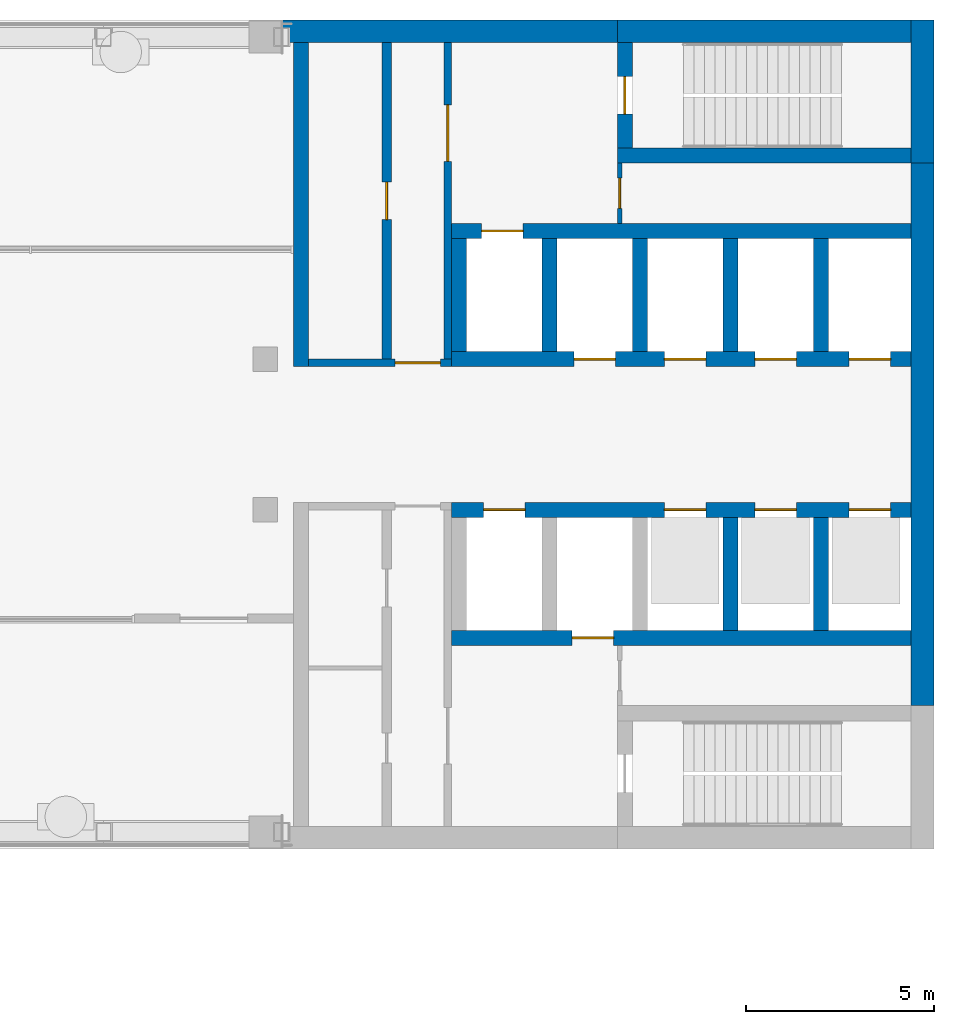
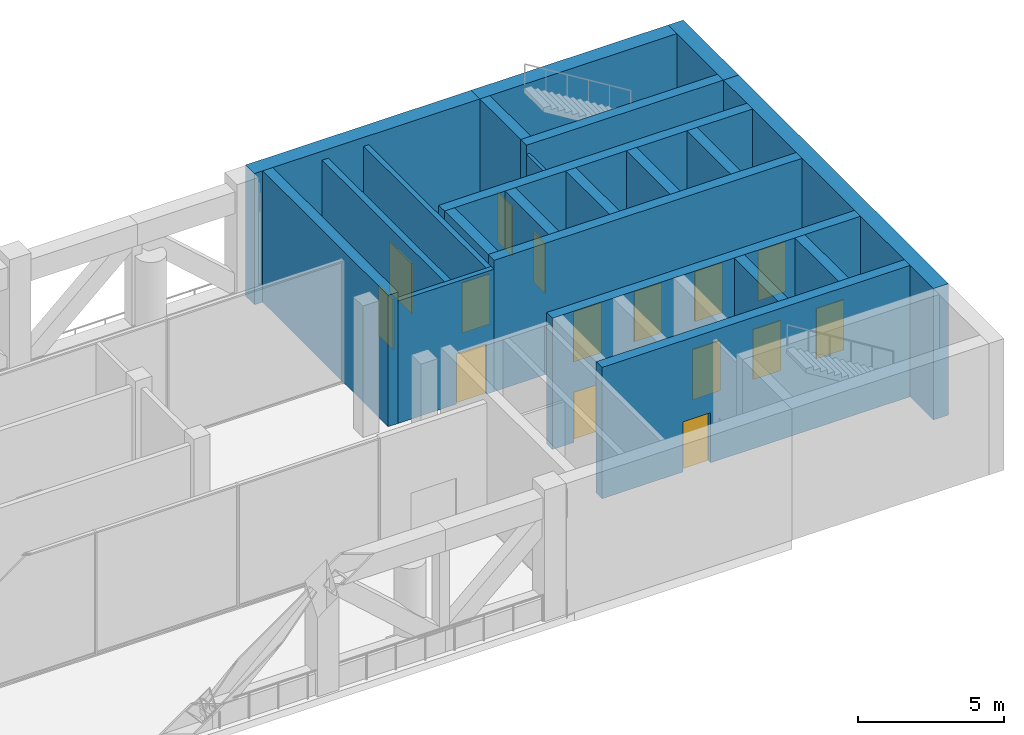
# One storey, part 14 of 19: 22 walls, 15 doors, 15 openings.
"""IFC4 building model written with IfcOpenShell, lengths in metres."""

import ifcopenshell
import ifcopenshell.guid

model = None  # the IFC model being written
_history = None  # IfcOwnerHistory: only IFC2X3 demands one
_inside = {}  # id of a spatial element -> (the spatial element, [elements in it])
_under = {}  # id of a project, library or spatial element -> (it, [spatial elements below it])
_declared = {}  # id of a project -> (the project, [libraries it declares])
_typed = {}  # id of a type object -> (the type object, [elements of that type])
_made_of = {}  # id of a material, layer set ... -> (it, [elements and type objects made of it])


def new_model(schema):
    """Start an empty IFC model of exactly this schema.

    Asked for "IFC4X3", IfcOpenShell would pick the latest addendum, in which some entities
    have other attributes; the version numbers below select the first issue.
    IFC2X3 requires an IfcOwnerHistory on every rooted entity: one is made here for all.
    """
    global model, _history
    if schema == "IFC4X3":
        model = ifcopenshell.file(schema_version=(4, 3, 0, 0))
    else:
        model = ifcopenshell.file(schema=schema)
    _inside.clear()
    _under.clear()
    _declared.clear()
    _typed.clear()
    _made_of.clear()
    _history = None
    if model.schema == "IFC2X3":
        org = make("IfcOrganization", Name="unknown")
        user = make(
            "IfcPersonAndOrganization",
            ThePerson=make("IfcPerson", FamilyName="unknown"),
            TheOrganization=org,
        )
        app = make(
            "IfcApplication",
            ApplicationDeveloper=org,
            Version="unknown",
            ApplicationFullName="unknown",
            ApplicationIdentifier="unknown",
        )
        _history = make(
            "IfcOwnerHistory",
            OwningUser=user,
            OwningApplication=app,
            ChangeAction="ADDED",
            CreationDate=0,
        )
    return model


def make(cls, **values):
    """One entity of the class cls with the attributes given. An attribute that is None is left unset."""
    return model.create_entity(
        cls, **{name: value for name, value in values.items() if value is not None}
    )


def rooted(cls, **values):
    """An entity with a GlobalId (a new one), such as an element, a storey or a relation."""
    return make(cls, GlobalId=ifcopenshell.guid.new(), OwnerHistory=_history, **values)


def si_unit(unit_type, name, prefix=None):
    """IfcSIUnit, for example si_unit("LENGTHUNIT", "METRE", prefix="MILLI")."""
    return make("IfcSIUnit", UnitType=unit_type, Prefix=prefix, Name=name)


def assignment(units):
    """IfcUnitAssignment: the units of a project."""
    return None if units is None else make("IfcUnitAssignment", Units=units)


def point(xyz):
    """IfcCartesianPoint."""
    return None if xyz is None else make("IfcCartesianPoint", Coordinates=xyz)


def direction(xyz):
    """IfcDirection."""
    return None if xyz is None else make("IfcDirection", DirectionRatios=xyz)


def frame(location, z_axis=None, x_axis=None):
    """IfcAxis2Placement3D, a coordinate frame: its origin and axes. An axis left out is left unset."""
    return make(
        "IfcAxis2Placement3D",
        Location=point(location),
        Axis=direction(z_axis),
        RefDirection=direction(x_axis),
    )


def frame_2d(location, x_axis=None):
    """IfcAxis2Placement2D, a coordinate frame in the plane: its origin and x axis."""
    return make(
        "IfcAxis2Placement2D", Location=point(location), RefDirection=direction(x_axis)
    )


def origin():
    """The frame at (0, 0, 0) with its axes left unset."""
    return frame((0.0, 0.0, 0.0))


def place(relative_to, where):
    """IfcLocalPlacement: puts the frame where relative to a parent placement (None: the world)."""
    return make(
        "IfcLocalPlacement", PlacementRelTo=relative_to, RelativePlacement=where
    )


def context(
    kind, dimensions, precision=None, world=None, true_north=None, identifier=None
):
    """IfcGeometricRepresentationContext, for example the 3D "Model" context."""
    return make(
        "IfcGeometricRepresentationContext",
        ContextIdentifier=identifier,
        ContextType=kind,
        CoordinateSpaceDimension=dimensions,
        Precision=precision,
        WorldCoordinateSystem=world,
        TrueNorth=true_north,
    )


def subcontext(parent, identifier, kind, view, scale=None):
    """IfcGeometricRepresentationSubContext, for example "Body" below "Model"."""
    return make(
        "IfcGeometricRepresentationSubContext",
        ContextIdentifier=identifier,
        ContextType=kind,
        ParentContext=parent,
        TargetScale=scale,
        TargetView=view,
    )


def project(units=None, contexts=None):
    """IfcProject with its units and contexts."""
    return rooted(
        "IfcProject",
        Name="project",
        RepresentationContexts=contexts,
        UnitsInContext=assignment(units),
    )


def spatial(cls, under=None, at=None, **own):
    """A site, building, storey or space (cls), placed at a placement, below another one or the project."""
    s = rooted(cls, ObjectPlacement=at, **own)
    if under is not None:
        _under.setdefault(under.id(), (under, []))[1].append(s)
    return s


def profile(cls, at=None, kind="AREA", **sizes):
    """A parametric profile (cls). Its sizes go by their IFC names, for example OverallWidth=200.0."""
    return make(cls, ProfileType=kind, Position=at, **sizes)


def rectangle(**sizes):
    """IfcRectangleProfileDef."""
    return profile("IfcRectangleProfileDef", **sizes)


def extrude(swept, where, along, depth):
    """IfcExtrudedAreaSolid: the profile swept, set in the frame where, extruded along a direction by depth."""
    return make(
        "IfcExtrudedAreaSolid",
        SweptArea=swept,
        Position=where,
        ExtrudedDirection=direction(along),
        Depth=depth,
    )


def shape(context_of_items, identifier, shape_type, items):
    """IfcShapeRepresentation: the items that make up one representation, for example the "Body"."""
    return make(
        "IfcShapeRepresentation",
        ContextOfItems=context_of_items,
        RepresentationIdentifier=identifier,
        RepresentationType=shape_type,
        Items=items,
    )


def material(Name=None, Category=None):
    """IfcMaterial."""
    return make("IfcMaterial", Name=Name, Category=Category)


def layer(
    of_material, thickness, ventilated=None, Name=None, Category=None, Priority=None
):
    """IfcMaterialLayer: one layer of a wall or slab, of a material (None: an air gap)."""
    return make(
        "IfcMaterialLayer",
        Material=of_material,
        LayerThickness=thickness,
        IsVentilated=ventilated,
        Name=Name,
        Category=Category,
        Priority=Priority,
    )


def layer_set(layers, Name=None):
    """IfcMaterialLayerSet."""
    return make("IfcMaterialLayerSet", MaterialLayers=layers, LayerSetName=Name)


def made_of(thing, what):
    """Note that an element or type object is made of a material, layer set ...; save() writes the relation."""
    if what is not None:
        _made_of.setdefault(what.id(), (what, []))[1].append(thing)
    return thing


def type_object(cls, material=None, **own):
    """A type object (cls), such as IfcWallType, which elements share."""
    return made_of(rooted(cls, **own), material)


def element(
    cls,
    number,
    at=None,
    inside=None,
    cuts=None,
    type_object=None,
    material=None,
    context=None,
    identifier="Body",
    shape_type=None,
    held_by="IfcProductDefinitionShape",
    body=None,
    shapes=None,
    **own,
):
    """One element of the class cls, such as IfcWall. Its Tag is "e" and its number.

    at: its placement. inside: the storey or other place that contains it. cuts: it is an
    opening in that element (IfcRelVoidsElement). A single representation is given by context,
    identifier, shape_type and body (its items); several are given by shapes. held_by: the class
    of the entity that holds the representations. save() writes the other relations.
    """
    e = rooted(cls, Tag="e%d" % number, ObjectPlacement=at, **own)
    if body is not None:
        shapes = [shape(context, identifier, shape_type, body)]
    if shapes is not None:
        e.Representation = make(held_by, Representations=shapes)
    if inside is not None:
        _inside.setdefault(inside.id(), (inside, []))[1].append(e)
    if cuts is not None:
        rooted(
            "IfcRelVoidsElement", RelatingBuildingElement=cuts, RelatedOpeningElement=e
        )
    if type_object is not None:
        _typed.setdefault(type_object.id(), (type_object, []))[1].append(e)
    return made_of(e, material)


def fill(opening, filler):
    """IfcRelFillsElement: the door or window that sits in an opening."""
    return rooted(
        "IfcRelFillsElement",
        RelatingOpeningElement=opening,
        RelatedBuildingElement=filler,
    )


def aggregate(whole, parts):
    """IfcRelAggregates: a whole, such as a stair, and the parts it consists of."""
    return rooted("IfcRelAggregates", RelatingObject=whole, RelatedObjects=parts)


def save(model, path):
    """Write the relations noted so far, then the file.

    IfcRelAggregates (storeys below a building ...), IfcRelContainedInSpatialStructure (elements
    in a storey), IfcRelDefinesByType, IfcRelAssociatesMaterial and IfcRelDeclares: one each for
    every whole, place, type object, material and project.
    """
    for whole, parts in _under.values():
        aggregate(whole, parts)
    for where, things in _inside.values():
        rooted(
            "IfcRelContainedInSpatialStructure",
            RelatedElements=things,
            RelatingStructure=where,
        )
    for kind, things in _typed.values():
        rooted("IfcRelDefinesByType", RelatedObjects=things, RelatingType=kind)
    for what, things in _made_of.values():
        rooted("IfcRelAssociatesMaterial", RelatedObjects=things, RelatingMaterial=what)
    for by, libraries in _declared.values():
        rooted("IfcRelDeclares", RelatingContext=by, RelatedDefinitions=libraries)
    model.write(path)


model = new_model("IFC4")

# Units and contexts
model_context = context("Model", 3, precision=1e-05, world=origin(), true_north=direction((0.0, 1.0)))
body_context = subcontext(model_context, "Body", "Model", "MODEL_VIEW")
ifc_project = project(units=[si_unit("LENGTHUNIT", "METRE"), si_unit("AREAUNIT", "SQUARE_METRE"), si_unit("VOLUMEUNIT", "CUBIC_METRE"), si_unit("PLANEANGLEUNIT", "RADIAN"), si_unit("MASSUNIT", "GRAM", prefix="KILO")], contexts=[model_context])

# Site, building, storey
site_placement = place(None, origin())
site = spatial("IfcSite", under=ifc_project, at=site_placement, CompositionType="ELEMENT")
building_placement = place(site_placement, origin())
building = spatial("IfcBuilding", under=site, at=building_placement, Name="Skarvind Civic Tower", CompositionType="ELEMENT")
storey_placement = place(building_placement, frame((0.0, 0.0, 129.0)))
storey = spatial("IfcBuildingStorey", under=building, at=storey_placement, Name="L30", CompositionType="ELEMENT", Elevation=129.0)

# Wall, opening, door
ifc_material_1 = material(Name="Fire-rated masonry partition", Category="masonry")
ifc_layer_1 = layer(ifc_material_1, 0.199951171875)
ifc_layer_set_1 = layer_set([ifc_layer_1], Name="Core enclosure wall 200")
wall_type_1 = type_object("IfcWallType", Name="Core enclosure wall 200", PredefinedType="PARTITIONING", material=ifc_layer_set_1)
wall_1_placement = place(storey_placement, frame((91.39990234375, 129.89990234375, 0.0), z_axis=(0.0, 0.0, 1.0), x_axis=(1.0, 0.0, 0.0)))
wall_1 = element("IfcWall", 1, at=wall_1_placement, inside=storey, type_object=wall_type_1, Name="Core wall C1", PredefinedType="PARTITIONING", context=body_context, shape_type="SweptSolid", body=[
    extrude(rectangle(XDim=3.800048828125, YDim=0.199951171875, at=frame_2d((1.89990234375, 0.0))), origin(), (0.0, 0.0, 1.0), 5.125),
])
opening_1_placement = place(wall_1_placement, frame((2.300048828125, 0.0, 0.0)))
opening_1 = element("IfcOpeningElement", 2, at=opening_1_placement, cuts=wall_1, Name="Opening D-L30-C1-15", PredefinedType="OPENING", context=body_context, shape_type="SweptSolid", body=[
    extrude(rectangle(XDim=1.199951171875, YDim=2.10009765625, at=frame_2d((0.60009765625, 1.050048828125))), frame((0.0, 0.10986328125, 0.0), z_axis=(0.0, -1.0, 0.0), x_axis=(1.0, 0.0, 0.0)), (0.0, 0.0, 1.0), 0.219970703125),
])
ifc_material_2 = material(Name="Fire-rated steel door", Category="steel")
door_type_1 = type_object("IfcDoorType", Name="Core lobby door 1200", OperationType="NOTDEFINED", PredefinedType="DOOR", material=ifc_material_2)
door_1_placement = place(opening_1_placement, origin())
door_1 = element("IfcDoor", 3, at=door_1_placement, inside=storey, type_object=door_type_1, Name="Fire door", OperationType="DOUBLE_DOOR_SINGLE_SWING", OverallHeight=2.10009765625, OverallWidth=1.199951171875, PredefinedType="DOOR", context=body_context, shape_type="SweptSolid", body=[
    extrude(rectangle(XDim=1.199951171875, YDim=2.10009765625, at=frame_2d((0.60009765625, 1.050048828125))), frame((0.0, 0.02490234375, 0.0), z_axis=(0.0, -1.0, 0.0), x_axis=(1.0, 0.0, 0.0)), (0.0, 0.0, 1.0), 0.050048828125),
])
fill(opening_1, door_1)

wall_2_placement = place(storey_placement, frame((95.10009765625, 130.0, 0.0), z_axis=(0.0, 0.0, 1.0), x_axis=(0.0, 1.0, 0.0)))
wall_2 = element("IfcWall", 4, at=wall_2_placement, inside=storey, type_object=wall_type_1, Name="Core wall C1", PredefinedType="PARTITIONING", context=body_context, shape_type="SweptSolid", body=[
    extrude(rectangle(XDim=8.39990234375, YDim=0.199951171875, at=frame_2d((4.199951171875, 0.0))), origin(), (0.0, 0.0, 1.0), 5.125),
])
opening_2_placement = place(wall_2_placement, frame((5.25, 0.0, 0.0)))
opening_2 = element("IfcOpeningElement", 5, at=opening_2_placement, cuts=wall_2, Name="Opening D-L30-C1-16", PredefinedType="OPENING", context=body_context, shape_type="SweptSolid", body=[
    extrude(rectangle(XDim=1.5, YDim=2.10009765625, at=frame_2d((0.75, 1.050048828125))), frame((0.0, 0.10986328125, 0.0), z_axis=(0.0, -1.0, 0.0), x_axis=(1.0, 0.0, 0.0)), (0.0, 0.0, 1.0), 0.219970703125),
])
door_type_2 = type_object("IfcDoorType", Name="Fire door 1500", OperationType="NOTDEFINED", PredefinedType="DOOR", material=ifc_material_2)
door_2_placement = place(opening_2_placement, origin())
door_2 = element("IfcDoor", 6, at=door_2_placement, inside=storey, type_object=door_type_2, Name="Fire door", OperationType="DOUBLE_DOOR_SINGLE_SWING", OverallHeight=2.10009765625, OverallWidth=1.5, PredefinedType="DOOR", context=body_context, shape_type="SweptSolid", body=[
    extrude(rectangle(XDim=1.5, YDim=2.10009765625, at=frame_2d((0.75, 1.050048828125))), frame((0.0, 0.02490234375, 0.0), z_axis=(0.0, -1.0, 0.0), x_axis=(1.0, 0.0, 0.0)), (0.0, 0.0, 1.0), 0.050048828125),
])
fill(opening_2, door_2)

# Wall
ifc_material_3 = material(Name="Concrete C80", Category="concrete")
ifc_layer_2 = layer(ifc_material_3, 0.39990234375)
ifc_layer_set_2 = layer_set([ifc_layer_2], Name="Core wall 400 C80")
wall_type_2 = type_object("IfcWallType", Name="Core wall 400 C80", PredefinedType="SHEAR", material=ifc_layer_set_2)
wall_3_placement = place(storey_placement, frame((107.39990234375, 135.39990234375, 0.0), z_axis=(0.0, 0.0, 1.0), x_axis=(-1.0, 0.0, 0.0)))
element("IfcWall", 7, at=wall_3_placement, inside=storey, type_object=wall_type_2, Name="Core wall C1 south stair inner L30", PredefinedType="SHEAR", context=body_context, shape_type="SweptSolid", body=[
    extrude(rectangle(XDim=7.7998046875, YDim=0.39990234375, at=frame_2d((3.89990234375, 0.0))), origin(), (0.0, 0.0, 1.0), 5.5),
])

# Wall, opening, door
wall_4_placement = place(storey_placement, frame((99.800048828125, 138.39990234375, 0.0), z_axis=(0.0, 0.0, 1.0), x_axis=(0.0, -1.0, 0.0)))
wall_4 = element("IfcWall", 8, at=wall_4_placement, inside=storey, type_object=wall_type_2, Name="Core wall C1 south stair end L30", PredefinedType="SHEAR", context=body_context, shape_type="SweptSolid", body=[
    extrude(rectangle(XDim=2.7998046875, YDim=0.39990234375, at=frame_2d((1.39990234375, 0.0))), origin(), (0.0, 0.0, 1.0), 5.5),
])
opening_3_placement = place(wall_4_placement, frame((0.89990234375, 0.0, 0.0)))
opening_3 = element("IfcOpeningElement", 9, at=opening_3_placement, cuts=wall_4, Name="Opening D-L30-C1-17", PredefinedType="OPENING", context=body_context, shape_type="SweptSolid", body=[
    extrude(rectangle(XDim=1.0, YDim=2.10009765625, at=frame_2d((0.5, 1.050048828125))), frame((0.0, 0.2099609375, 0.0), z_axis=(0.0, -1.0, 0.0), x_axis=(1.0, 0.0, 0.0)), (0.0, 0.0, 1.0), 0.419921875),
])
door_type_3 = type_object("IfcDoorType", Name="Fire door 1000", OperationType="NOTDEFINED", PredefinedType="DOOR", material=ifc_material_2)
door_3_placement = place(opening_3_placement, origin())
door_3 = element("IfcDoor", 10, at=door_3_placement, inside=storey, type_object=door_type_3, Name="Fire door", OperationType="SINGLE_SWING_RIGHT", OverallHeight=2.10009765625, OverallWidth=1.0, PredefinedType="DOOR", context=body_context, shape_type="SweptSolid", body=[
    extrude(rectangle(XDim=1.0, YDim=2.10009765625, at=frame_2d((0.5, 1.050048828125))), frame((0.0, 0.02490234375, 0.0), z_axis=(0.0, -1.0, 0.0), x_axis=(1.0, 0.0, 0.0)), (0.0, 0.0, 1.0), 0.050048828125),
])
fill(opening_3, door_3)

# Wall, openings, doors
wall_5_placement = place(storey_placement, frame((107.39990234375, 130.0, 0.0), z_axis=(0.0, 0.0, 1.0), x_axis=(-1.0, 0.0, 0.0)))
wall_5 = element("IfcWall", 11, at=wall_5_placement, inside=storey, type_object=wall_type_2, Name="Core wall C1 south lift row front L30", PredefinedType="SHEAR", context=body_context, shape_type="SweptSolid", body=[
    extrude(rectangle(XDim=12.199951171875, YDim=0.39990234375, at=frame_2d((6.10009765625, 0.0))), origin(), (0.0, 0.0, 1.0), 5.5),
])
opening_4_placement = place(wall_5_placement, frame((0.550048828125, 0.0, 0.0)))
opening_4 = element("IfcOpeningElement", 12, at=opening_4_placement, cuts=wall_5, Name="Opening LD32106", PredefinedType="OPENING", context=body_context, shape_type="SweptSolid", body=[
    extrude(rectangle(XDim=1.10009765625, YDim=2.10009765625, at=frame_2d((0.550048828125, 1.050048828125))), frame((0.0, 0.2099609375, 0.0), z_axis=(0.0, -1.0, 0.0), x_axis=(1.0, 0.0, 0.0)), (0.0, 0.0, 1.0), 0.419921875),
])
opening_5_placement = place(wall_5_placement, frame((3.050048828125, 0.0, 0.0)))
opening_5 = element("IfcOpeningElement", 13, at=opening_5_placement, cuts=wall_5, Name="Opening LD32107", PredefinedType="OPENING", context=body_context, shape_type="SweptSolid", body=[
    extrude(rectangle(XDim=1.10009765625, YDim=2.10009765625, at=frame_2d((0.550048828125, 1.050048828125))), frame((0.0, 0.2099609375, 0.0), z_axis=(0.0, -1.0, 0.0), x_axis=(1.0, 0.0, 0.0)), (0.0, 0.0, 1.0), 0.419921875),
])
opening_6_placement = place(wall_5_placement, frame((5.449951171875, 0.0, 0.0)))
opening_6 = element("IfcOpeningElement", 14, at=opening_6_placement, cuts=wall_5, Name="Opening LD32108", PredefinedType="OPENING", context=body_context, shape_type="SweptSolid", body=[
    extrude(rectangle(XDim=1.10009765625, YDim=2.10009765625, at=frame_2d((0.550048828125, 1.050048828125))), frame((0.0, 0.2099609375, 0.0), z_axis=(0.0, -1.0, 0.0), x_axis=(1.0, 0.0, 0.0)), (0.0, 0.0, 1.0), 0.419921875),
])
opening_7_placement = place(wall_5_placement, frame((7.85009765625, 0.0, 0.0)))
opening_7 = element("IfcOpeningElement", 15, at=opening_7_placement, cuts=wall_5, Name="Opening LD32109", PredefinedType="OPENING", context=body_context, shape_type="SweptSolid", body=[
    extrude(rectangle(XDim=1.10009765625, YDim=2.10009765625, at=frame_2d((0.550048828125, 1.050048828125))), frame((0.0, 0.2099609375, 0.0), z_axis=(0.0, -1.0, 0.0), x_axis=(1.0, 0.0, 0.0)), (0.0, 0.0, 1.0), 0.419921875),
])
ifc_material_4 = material(Name="Stainless steel landing door", Category="steel")
door_type_4 = type_object("IfcDoorType", Name="Lift landing door 1100", OperationType="DOUBLE_DOOR_SLIDING", PredefinedType="DOOR", material=ifc_material_4)
door_4_placement = place(opening_4_placement, origin())
door_4 = element("IfcDoor", 16, at=door_4_placement, inside=storey, type_object=door_type_4, Name="Lift landing door", OperationType="DOUBLE_DOOR_SLIDING", OverallHeight=2.10009765625, OverallWidth=1.10009765625, PredefinedType="DOOR", context=body_context, shape_type="SweptSolid", body=[
    extrude(rectangle(XDim=1.10009765625, YDim=2.10009765625, at=frame_2d((0.550048828125, 1.050048828125))), frame((0.0, 0.02490234375, 0.0), z_axis=(0.0, -1.0, 0.0), x_axis=(1.0, 0.0, 0.0)), (0.0, 0.0, 1.0), 0.050048828125),
])
fill(opening_4, door_4)
door_5_placement = place(opening_5_placement, origin())
door_5 = element("IfcDoor", 17, at=door_5_placement, inside=storey, type_object=door_type_4, Name="Lift landing door", OperationType="DOUBLE_DOOR_SLIDING", OverallHeight=2.10009765625, OverallWidth=1.10009765625, PredefinedType="DOOR", context=body_context, shape_type="SweptSolid", body=[
    extrude(rectangle(XDim=1.10009765625, YDim=2.10009765625, at=frame_2d((0.550048828125, 1.050048828125))), frame((0.0, 0.02490234375, 0.0), z_axis=(0.0, -1.0, 0.0), x_axis=(1.0, 0.0, 0.0)), (0.0, 0.0, 1.0), 0.050048828125),
])
fill(opening_5, door_5)
door_6_placement = place(opening_6_placement, origin())
door_6 = element("IfcDoor", 18, at=door_6_placement, inside=storey, type_object=door_type_4, Name="Lift landing door", OperationType="DOUBLE_DOOR_SLIDING", OverallHeight=2.10009765625, OverallWidth=1.10009765625, PredefinedType="DOOR", context=body_context, shape_type="SweptSolid", body=[
    extrude(rectangle(XDim=1.10009765625, YDim=2.10009765625, at=frame_2d((0.550048828125, 1.050048828125))), frame((0.0, 0.02490234375, 0.0), z_axis=(0.0, -1.0, 0.0), x_axis=(1.0, 0.0, 0.0)), (0.0, 0.0, 1.0), 0.050048828125),
])
fill(opening_6, door_6)
door_7_placement = place(opening_7_placement, origin())
door_7 = element("IfcDoor", 19, at=door_7_placement, inside=storey, type_object=door_type_4, Name="Lift landing door", OperationType="DOUBLE_DOOR_SLIDING", OverallHeight=2.10009765625, OverallWidth=1.10009765625, PredefinedType="DOOR", context=body_context, shape_type="SweptSolid", body=[
    extrude(rectangle(XDim=1.10009765625, YDim=2.10009765625, at=frame_2d((0.550048828125, 1.050048828125))), frame((0.0, 0.02490234375, 0.0), z_axis=(0.0, -1.0, 0.0), x_axis=(1.0, 0.0, 0.0)), (0.0, 0.0, 1.0), 0.050048828125),
])
fill(opening_7, door_7)

# Wall, opening, door
wall_6_placement = place(storey_placement, frame((107.39990234375, 133.39990234375, 0.0), z_axis=(0.0, 0.0, 1.0), x_axis=(-1.0, 0.0, 0.0)))
wall_6 = element("IfcWall", 20, at=wall_6_placement, inside=storey, type_object=wall_type_2, Name="Core wall C1 south lift row back L30", PredefinedType="SHEAR", context=body_context, shape_type="SweptSolid", body=[
    extrude(rectangle(XDim=12.199951171875, YDim=0.39990234375, at=frame_2d((6.10009765625, 0.0))), origin(), (0.0, 0.0, 1.0), 5.5),
])
opening_8_placement = place(wall_6_placement, frame((10.300048828125, 0.0, 0.0)))
opening_8 = element("IfcOpeningElement", 21, at=opening_8_placement, cuts=wall_6, Name="Opening LD32110", PredefinedType="OPENING", context=body_context, shape_type="SweptSolid", body=[
    extrude(rectangle(XDim=1.10009765625, YDim=2.10009765625, at=frame_2d((0.550048828125, 1.050048828125))), frame((0.0, 0.2099609375, 0.0), z_axis=(0.0, -1.0, 0.0), x_axis=(1.0, 0.0, 0.0)), (0.0, 0.0, 1.0), 0.419921875),
])
door_8_placement = place(opening_8_placement, origin())
door_8 = element("IfcDoor", 22, at=door_8_placement, inside=storey, type_object=door_type_4, Name="Lift landing door", OperationType="DOUBLE_DOOR_SLIDING", OverallHeight=2.10009765625, OverallWidth=1.10009765625, PredefinedType="DOOR", context=body_context, shape_type="SweptSolid", body=[
    extrude(rectangle(XDim=1.10009765625, YDim=2.10009765625, at=frame_2d((0.550048828125, 1.050048828125))), frame((0.0, 0.02490234375, 0.0), z_axis=(0.0, -1.0, 0.0), x_axis=(1.0, 0.0, 0.0)), (0.0, 0.0, 1.0), 0.050048828125),
])
fill(opening_8, door_8)

# Walls
for number, where, z_axis, x_axis, name in (
    (23, (105.0, 133.199951171875, 0.0), (0.0, 0.0, 1.0), (0.0, -1.0, 0.0), "Core wall C1 south lift row division 1 L30"),
    (24, (102.60009765625, 133.199951171875, 0.0), (0.0, 0.0, 1.0), (0.0, -1.0, 0.0), "Core wall C1 south lift row division 2 L30"),
    (25, (100.199951171875, 133.199951171875, 0.0), (0.0, 0.0, 1.0), (0.0, -1.0, 0.0), "Core wall C1 south lift row division 3 L30"),
    (26, (97.800048828125, 133.199951171875, 0.0), (0.0, 0.0, 1.0), (0.0, -1.0, 0.0), "Core wall C1 south lift row division 4 L30"),
    (27, (95.39990234375, 133.199951171875, 0.0), (0.0, 0.0, 1.0), (0.0, -1.0, 0.0), "Core wall C1 south lift row division 5 L30"),
):
    element("IfcWall", number, at=place(storey_placement, frame(where, z_axis=z_axis, x_axis=x_axis)), inside=storey, type_object=wall_type_2, Name=name, PredefinedType="SHEAR", context=body_context, shape_type="SweptSolid", body=[
        extrude(rectangle(XDim=3.0, YDim=0.39990234375, at=frame_2d((1.5, 0.0))), origin(), (0.0, 0.0, 1.0), 5.5),
    ])

# Wall, openings, doors
wall_7_placement = place(storey_placement, frame((107.39990234375, 126.0, 0.0), z_axis=(0.0, 0.0, 1.0), x_axis=(-1.0, 0.0, 0.0)))
wall_7 = element("IfcWall", 28, at=wall_7_placement, inside=storey, type_object=wall_type_2, Name="Core wall C1 north lift row front L30", PredefinedType="SHEAR", context=body_context, shape_type="SweptSolid", body=[
    extrude(rectangle(XDim=12.199951171875, YDim=0.39990234375, at=frame_2d((6.10009765625, 0.0))), origin(), (0.0, 0.0, 1.0), 5.5),
])
opening_9_placement = place(wall_7_placement, frame((0.550048828125, 0.0, 0.0)))
opening_9 = element("IfcOpeningElement", 29, at=opening_9_placement, cuts=wall_7, Name="Opening LD32101", PredefinedType="OPENING", context=body_context, shape_type="SweptSolid", body=[
    extrude(rectangle(XDim=1.10009765625, YDim=2.10009765625, at=frame_2d((0.550048828125, 1.050048828125))), frame((0.0, 0.2099609375, 0.0), z_axis=(0.0, -1.0, 0.0), x_axis=(1.0, 0.0, 0.0)), (0.0, 0.0, 1.0), 0.419921875),
])
opening_10_placement = place(wall_7_placement, frame((3.050048828125, 0.0, 0.0)))
opening_10 = element("IfcOpeningElement", 30, at=opening_10_placement, cuts=wall_7, Name="Opening LD32102", PredefinedType="OPENING", context=body_context, shape_type="SweptSolid", body=[
    extrude(rectangle(XDim=1.10009765625, YDim=2.10009765625, at=frame_2d((0.550048828125, 1.050048828125))), frame((0.0, 0.2099609375, 0.0), z_axis=(0.0, -1.0, 0.0), x_axis=(1.0, 0.0, 0.0)), (0.0, 0.0, 1.0), 0.419921875),
])
opening_11_placement = place(wall_7_placement, frame((5.449951171875, 0.0, 0.0)))
opening_11 = element("IfcOpeningElement", 31, at=opening_11_placement, cuts=wall_7, Name="Opening LD32103", PredefinedType="OPENING", context=body_context, shape_type="SweptSolid", body=[
    extrude(rectangle(XDim=1.10009765625, YDim=2.10009765625, at=frame_2d((0.550048828125, 1.050048828125))), frame((0.0, 0.2099609375, 0.0), z_axis=(0.0, -1.0, 0.0), x_axis=(1.0, 0.0, 0.0)), (0.0, 0.0, 1.0), 0.419921875),
])
opening_12_placement = place(wall_7_placement, frame((10.25, 0.0, 0.0)))
opening_12 = element("IfcOpeningElement", 32, at=opening_12_placement, cuts=wall_7, Name="Opening LD32105", PredefinedType="OPENING", context=body_context, shape_type="SweptSolid", body=[
    extrude(rectangle(XDim=1.10009765625, YDim=2.10009765625, at=frame_2d((0.550048828125, 1.050048828125))), frame((0.0, 0.2099609375, 0.0), z_axis=(0.0, -1.0, 0.0), x_axis=(1.0, 0.0, 0.0)), (0.0, 0.0, 1.0), 0.419921875),
])
door_9_placement = place(opening_9_placement, origin())
door_9 = element("IfcDoor", 33, at=door_9_placement, inside=storey, type_object=door_type_4, Name="Lift landing door", OperationType="DOUBLE_DOOR_SLIDING", OverallHeight=2.10009765625, OverallWidth=1.10009765625, PredefinedType="DOOR", context=body_context, shape_type="SweptSolid", body=[
    extrude(rectangle(XDim=1.10009765625, YDim=2.10009765625, at=frame_2d((0.550048828125, 1.050048828125))), frame((0.0, 0.02490234375, 0.0), z_axis=(0.0, -1.0, 0.0), x_axis=(1.0, 0.0, 0.0)), (0.0, 0.0, 1.0), 0.050048828125),
])
fill(opening_9, door_9)
door_10_placement = place(opening_10_placement, origin())
door_10 = element("IfcDoor", 34, at=door_10_placement, inside=storey, type_object=door_type_4, Name="Lift landing door", OperationType="DOUBLE_DOOR_SLIDING", OverallHeight=2.10009765625, OverallWidth=1.10009765625, PredefinedType="DOOR", context=body_context, shape_type="SweptSolid", body=[
    extrude(rectangle(XDim=1.10009765625, YDim=2.10009765625, at=frame_2d((0.550048828125, 1.050048828125))), frame((0.0, 0.02490234375, 0.0), z_axis=(0.0, -1.0, 0.0), x_axis=(1.0, 0.0, 0.0)), (0.0, 0.0, 1.0), 0.050048828125),
])
fill(opening_10, door_10)
door_11_placement = place(opening_11_placement, origin())
door_11 = element("IfcDoor", 35, at=door_11_placement, inside=storey, type_object=door_type_4, Name="Lift landing door", OperationType="DOUBLE_DOOR_SLIDING", OverallHeight=2.10009765625, OverallWidth=1.10009765625, PredefinedType="DOOR", context=body_context, shape_type="SweptSolid", body=[
    extrude(rectangle(XDim=1.10009765625, YDim=2.10009765625, at=frame_2d((0.550048828125, 1.050048828125))), frame((0.0, 0.02490234375, 0.0), z_axis=(0.0, -1.0, 0.0), x_axis=(1.0, 0.0, 0.0)), (0.0, 0.0, 1.0), 0.050048828125),
])
fill(opening_11, door_11)
door_12_placement = place(opening_12_placement, origin())
door_12 = element("IfcDoor", 36, at=door_12_placement, inside=storey, type_object=door_type_4, Name="Lift landing door", OperationType="DOUBLE_DOOR_SLIDING", OverallHeight=2.10009765625, OverallWidth=1.10009765625, PredefinedType="DOOR", context=body_context, shape_type="SweptSolid", body=[
    extrude(rectangle(XDim=1.10009765625, YDim=2.10009765625, at=frame_2d((0.550048828125, 1.050048828125))), frame((0.0, 0.02490234375, 0.0), z_axis=(0.0, -1.0, 0.0), x_axis=(1.0, 0.0, 0.0)), (0.0, 0.0, 1.0), 0.050048828125),
])
fill(opening_12, door_12)

# Wall, opening, door
wall_8_placement = place(storey_placement, frame((107.39990234375, 122.60009765625, 0.0), z_axis=(0.0, 0.0, 1.0), x_axis=(-1.0, 0.0, 0.0)))
wall_8 = element("IfcWall", 37, at=wall_8_placement, inside=storey, type_object=wall_type_2, Name="Core wall C1 north lift row back L30", PredefinedType="SHEAR", context=body_context, shape_type="SweptSolid", body=[
    extrude(rectangle(XDim=12.199951171875, YDim=0.39990234375, at=frame_2d((6.10009765625, 0.0))), origin(), (0.0, 0.0, 1.0), 5.5),
])
opening_13_placement = place(wall_8_placement, frame((7.89990234375, 0.0, 0.0)))
opening_13 = element("IfcOpeningElement", 38, at=opening_13_placement, cuts=wall_8, Name="Opening LD32104", PredefinedType="OPENING", context=body_context, shape_type="SweptSolid", body=[
    extrude(rectangle(XDim=1.10009765625, YDim=2.10009765625, at=frame_2d((0.550048828125, 1.050048828125))), frame((0.0, 0.2099609375, 0.0), z_axis=(0.0, -1.0, 0.0), x_axis=(1.0, 0.0, 0.0)), (0.0, 0.0, 1.0), 0.419921875),
])
door_13_placement = place(opening_13_placement, origin())
door_13 = element("IfcDoor", 39, at=door_13_placement, inside=storey, type_object=door_type_4, Name="Lift landing door", OperationType="DOUBLE_DOOR_SLIDING", OverallHeight=2.10009765625, OverallWidth=1.10009765625, PredefinedType="DOOR", context=body_context, shape_type="SweptSolid", body=[
    extrude(rectangle(XDim=1.10009765625, YDim=2.10009765625, at=frame_2d((0.550048828125, 1.050048828125))), frame((0.0, 0.02490234375, 0.0), z_axis=(0.0, -1.0, 0.0), x_axis=(1.0, 0.0, 0.0)), (0.0, 0.0, 1.0), 0.050048828125),
])
fill(opening_13, door_13)

# Walls
for number, where, z_axis, x_axis, name in (
    (40, (105.0, 125.800048828125, 0.0), (0.0, 0.0, 1.0), (0.0, -1.0, 0.0), "Core wall C1 north lift row division 1 L30"),
    (41, (102.60009765625, 125.800048828125, 0.0), (0.0, 0.0, 1.0), (0.0, -1.0, 0.0), "Core wall C1 north lift row division 2 L30"),
):
    element("IfcWall", number, at=place(storey_placement, frame(where, z_axis=z_axis, x_axis=x_axis)), inside=storey, type_object=wall_type_2, Name=name, PredefinedType="SHEAR", context=body_context, shape_type="SweptSolid", body=[
        extrude(rectangle(XDim=3.0, YDim=0.39990234375, at=frame_2d((1.5, 0.0))), origin(), (0.0, 0.0, 1.0), 5.5),
    ])
wall_9_placement = place(storey_placement, frame((91.199951171875, 138.39990234375, 0.0), z_axis=(0.0, 0.0, 1.0), x_axis=(0.0, -1.0, 0.0)))
element("IfcWall", 42, at=wall_9_placement, inside=storey, type_object=wall_type_2, Name="Core wall C1 south inner face L30", PredefinedType="SHEAR", context=body_context, shape_type="SweptSolid", body=[
    extrude(rectangle(XDim=8.599853515625, YDim=0.39990234375, at=frame_2d((4.2998046875, 0.0))), origin(), (0.0, 0.0, 1.0), 5.5),
])
ifc_layer_3 = layer(ifc_material_3, 0.60009765625)
ifc_layer_set_3 = layer_set([ifc_layer_3], Name="Core wall 600 C80")
wall_type_3 = type_object("IfcWallType", Name="Core wall 600 C80", PredefinedType="SHEAR", material=ifc_layer_set_3)
wall_10_placement = place(storey_placement, frame((107.699951171875, 139.0, 0.0), z_axis=(0.0, 0.0, 1.0), x_axis=(0.0, -1.0, 0.0)))
element("IfcWall", 43, at=wall_10_placement, inside=storey, type_object=wall_type_3, Name="Core wall C1 tip at the south stair L30", PredefinedType="SHEAR", context=body_context, shape_type="SweptSolid", body=[
    extrude(rectangle(XDim=3.800048828125, YDim=0.60009765625, at=frame_2d((1.89990234375, 0.0))), origin(), (0.0, 0.0, 1.0), 5.5),
])
wall_11_placement = place(storey_placement, frame((107.699951171875, 135.199951171875, 0.0), z_axis=(0.0, 0.0, 1.0), x_axis=(0.0, -1.0, 0.0)))
element("IfcWall", 44, at=wall_11_placement, inside=storey, type_object=wall_type_3, Name="Core wall C1 tip between the stairs L30", PredefinedType="SHEAR", context=body_context, shape_type="SweptSolid", body=[
    extrude(rectangle(XDim=14.39990234375, YDim=0.60009765625, at=frame_2d((7.199951171875, 0.0))), origin(), (0.0, 0.0, 1.0), 5.5),
])
wall_12_placement = place(storey_placement, frame((107.39990234375, 138.699951171875, 0.0), z_axis=(0.0, 0.0, 1.0), x_axis=(-1.0, 0.0, 0.0)))
element("IfcWall", 45, at=wall_12_placement, inside=storey, type_object=wall_type_3, Name="Core wall C1 south side at the stair L30", PredefinedType="SHEAR", context=body_context, shape_type="SweptSolid", body=[
    extrude(rectangle(XDim=7.7998046875, YDim=0.60009765625, at=frame_2d((3.89990234375, 0.0))), origin(), (0.0, 0.0, 1.0), 5.5),
])
wall_13_placement = place(storey_placement, frame((99.60009765625, 138.699951171875, 0.0), z_axis=(0.0, 0.0, 1.0), x_axis=(-1.0, 0.0, 0.0)))
element("IfcWall", 46, at=wall_13_placement, inside=storey, type_object=wall_type_3, Name="Core wall C1 south side L30", PredefinedType="SHEAR", context=body_context, shape_type="SweptSolid", body=[
    extrude(rectangle(XDim=8.925048828125, YDim=0.60009765625, at=frame_2d((4.46240234375, 0.0))), origin(), (0.0, 0.0, 1.0), 5.5),
])

# Wall, opening, door
ifc_layer_4 = layer(ifc_material_1, 0.125)
ifc_layer_set_4 = layer_set([ifc_layer_4], Name="Riser wall 125")
wall_type_4 = type_object("IfcWallType", Name="Riser wall 125", PredefinedType="PARTITIONING", material=ifc_layer_set_4)
wall_14_placement = place(storey_placement, frame((99.66259765625, 133.60009765625, 0.0), z_axis=(0.0, 0.0, 1.0), x_axis=(0.0, 1.0, 0.0)))
wall_14 = element("IfcWall", 47, at=wall_14_placement, inside=storey, type_object=wall_type_4, Name="Core wall C1", PredefinedType="PARTITIONING", context=body_context, shape_type="SweptSolid", body=[
    extrude(rectangle(XDim=1.599853515625, YDim=0.125, at=frame_2d((0.7998046875, 0.0))), origin(), (0.0, 0.0, 1.0), 5.125),
])
opening_14_placement = place(wall_14_placement, frame((0.39990234375, 0.0, 0.0)))
opening_14 = element("IfcOpeningElement", 48, at=opening_14_placement, cuts=wall_14, Name="Opening D-L30-C1-18", PredefinedType="OPENING", context=body_context, shape_type="SweptSolid", body=[
    extrude(rectangle(XDim=0.800048828125, YDim=2.10009765625, at=frame_2d((0.39990234375, 1.050048828125))), frame((0.0, 0.072509765625, 0.0), z_axis=(0.0, -1.0, 0.0), x_axis=(1.0, 0.0, 0.0)), (0.0, 0.0, 1.0), 0.14501953125),
])
door_type_5 = type_object("IfcDoorType", Name="Core riser door 800", OperationType="NOTDEFINED", PredefinedType="DOOR", material=ifc_material_2)
door_14_placement = place(opening_14_placement, origin())
door_14 = element("IfcDoor", 49, at=door_14_placement, inside=storey, type_object=door_type_5, Name="Riser door", OperationType="SINGLE_SWING_LEFT", OverallHeight=2.10009765625, OverallWidth=0.800048828125, PredefinedType="DOOR", context=body_context, shape_type="SweptSolid", body=[
    extrude(rectangle(XDim=0.800048828125, YDim=2.10009765625, at=frame_2d((0.39990234375, 1.050048828125))), frame((0.0, 0.02490234375, 0.0), z_axis=(0.0, -1.0, 0.0), x_axis=(1.0, 0.0, 0.0)), (0.0, 0.0, 1.0), 0.050048828125),
])
fill(opening_14, door_14)

ifc_layer_5 = layer(ifc_material_1, 0.25)
ifc_layer_set_5 = layer_set([ifc_layer_5], Name="Service block wall 250")
wall_type_5 = type_object("IfcWallType", Name="Service block wall 250", PredefinedType="PARTITIONING", material=ifc_layer_set_5)
wall_15_placement = place(storey_placement, frame((93.47509765625, 130.0, 0.0), z_axis=(0.0, 0.0, 1.0), x_axis=(0.0, 1.0, 0.0)))
wall_15 = element("IfcWall", 50, at=wall_15_placement, inside=storey, type_object=wall_type_5, Name="Core wall C1", PredefinedType="PARTITIONING", context=body_context, shape_type="SweptSolid", body=[
    extrude(rectangle(XDim=8.39990234375, YDim=0.25, at=frame_2d((4.199951171875, 0.0))), origin(), (0.0, 0.0, 1.0), 5.125),
])
opening_15_placement = place(wall_15_placement, frame((3.699951171875, 0.0, 0.0)))
opening_15 = element("IfcOpeningElement", 51, at=opening_15_placement, cuts=wall_15, Name="Opening D-L30-C1-19", PredefinedType="OPENING", context=body_context, shape_type="SweptSolid", body=[
    extrude(rectangle(XDim=1.0, YDim=2.10009765625, at=frame_2d((0.5, 1.050048828125))), frame((0.0, 0.135009765625, 0.0), z_axis=(0.0, -1.0, 0.0), x_axis=(1.0, 0.0, 0.0)), (0.0, 0.0, 1.0), 0.27001953125),
])
door_15_placement = place(opening_15_placement, origin())
door_15 = element("IfcDoor", 52, at=door_15_placement, inside=storey, type_object=door_type_3, Name="Fire door", OperationType="SINGLE_SWING_RIGHT", OverallHeight=2.10009765625, OverallWidth=1.0, PredefinedType="DOOR", context=body_context, shape_type="SweptSolid", body=[
    extrude(rectangle(XDim=1.0, YDim=2.10009765625, at=frame_2d((0.5, 1.050048828125))), frame((0.0, 0.02490234375, 0.0), z_axis=(0.0, -1.0, 0.0), x_axis=(1.0, 0.0, 0.0)), (0.0, 0.0, 1.0), 0.050048828125),
])
fill(opening_15, door_15)

save(model, "model.ifc")
